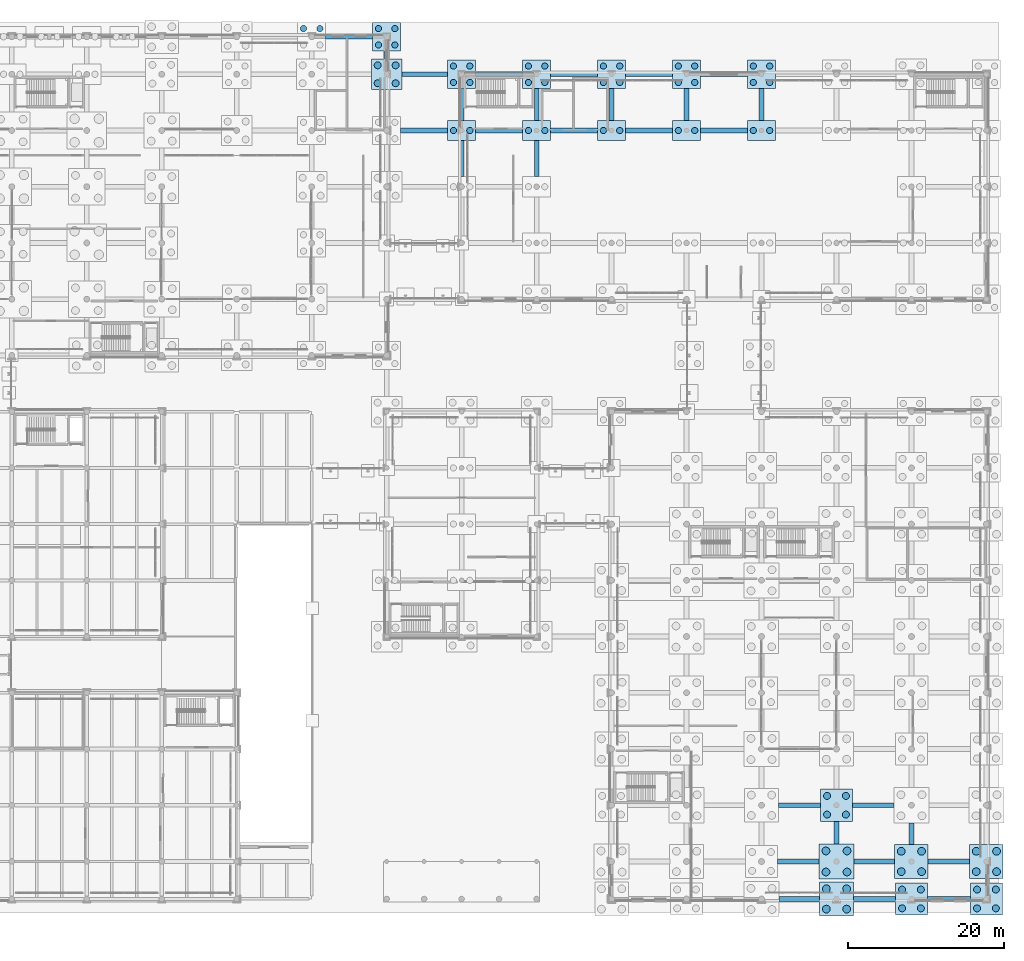
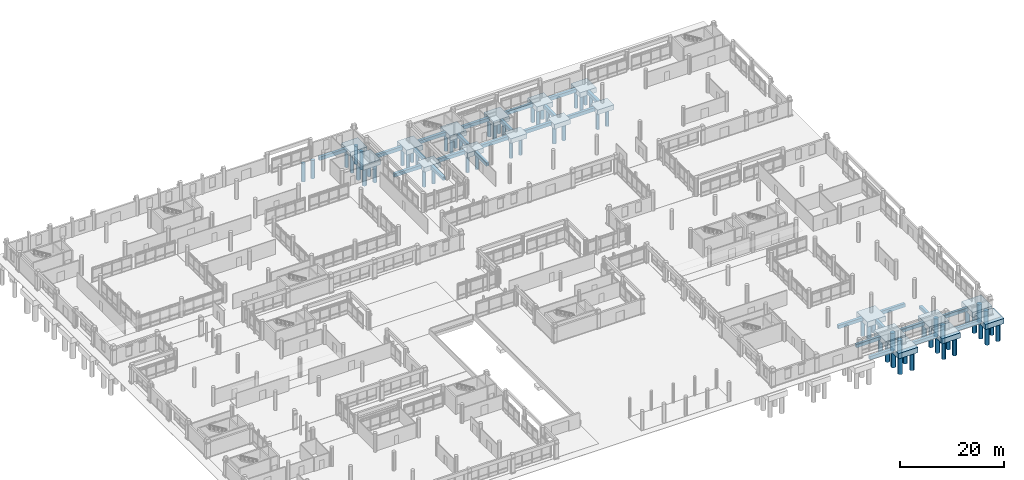
# One storey, part 7 of 196: 68 piles, 48 footings.
"""IFC4 building model written with IfcOpenShell, lengths in metres."""

from ifc_helpers import new_model, si_unit, direction, frame, origin, origin_2d, place, context, subcontext, project, spatial, rectangle, circle, extrude, material, material_profile, profile_set, type_object, element, save


model = new_model("IFC4")

# Units and contexts
model_context = context("Model", 3, precision=1e-05, world=origin(), true_north=direction((0.0, 1.0)))
body_context = subcontext(model_context, "Body", "Model", "MODEL_VIEW")
ifc_project = project(units=[si_unit("LENGTHUNIT", "METRE"), si_unit("AREAUNIT", "SQUARE_METRE"), si_unit("VOLUMEUNIT", "CUBIC_METRE"), si_unit("PLANEANGLEUNIT", "RADIAN"), si_unit("MASSUNIT", "GRAM", prefix="KILO")], contexts=[model_context])

# Site, building, storey
site_placement = place(None, origin())
site = spatial("IfcSite", under=ifc_project, at=site_placement, CompositionType="ELEMENT")
building_placement = place(site_placement, origin())
building = spatial("IfcBuilding", under=site, at=building_placement, Name="Asteropetra Specialist Clinic", CompositionType="ELEMENT")
storey_placement = place(building_placement, origin())
storey = spatial("IfcBuildingStorey", under=building, at=storey_placement, Name="L00", CompositionType="ELEMENT", Elevation=0.0)

# Footings
ifc_material_1 = material(Name="Concrete C35/45", Category="concrete")
ifc_material_profile_1 = material_profile(ifc_material_1, rectangle(XDim=0.60009765625, YDim=0.800048828125, at=origin_2d()), Name="FB 600x800")
ifc_profile_set_1 = profile_set([ifc_material_profile_1], Name="Concrete C35/45")
footing_type_1 = type_object("IfcFootingType", Name="FB-600x800", PredefinedType="FOOTING_BEAM", material=ifc_profile_set_1)
for number, where, z_axis, x_axis, name in (
    (1, (69.0, 110.39990234375, -0.840087890625), (1.0, 0.0, 0.0), (0.0, 1.0, 0.0), "Footing Tie Beam FB-0233"),
    (2, (78.60009765625, 98.39990234375, -0.840087890625), (1.0, 0.0, 0.0), (0.0, 1.0, 0.0), "Footing Tie Beam FB-0254"),
):
    element("IfcFooting", number, at=place(storey_placement, frame(where, z_axis=z_axis, x_axis=x_axis)), inside=storey, type_object=footing_type_1, Name=name, PredefinedType="FOOTING_BEAM", context=body_context, shape_type="SweptSolid", body=[
        extrude(rectangle(XDim=0.60009765625, YDim=0.800048828125, at=origin_2d()), origin(), (0.0, 0.0, 1.0), 6.0),
    ])
footing_1_placement = place(storey_placement, frame((78.75, 105.60009765625, -0.840087890625), z_axis=(1.0, 0.0, 0.0), x_axis=(0.0, 1.0, 0.0)))
element("IfcFooting", 3, at=footing_1_placement, inside=storey, type_object=footing_type_1, Name="Footing Tie Beam FB-0256", PredefinedType="FOOTING_BEAM", context=body_context, shape_type="SweptSolid", body=[
    extrude(rectangle(XDim=0.60009765625, YDim=0.800048828125, at=origin_2d()), origin(), (0.0, 0.0, 1.0), 5.85009765625),
])
footing_2_placement = place(storey_placement, frame((76.800048828125, 107.550048828125, -0.840087890625), z_axis=(0.0, 1.0, 0.0), x_axis=(-1.0, 0.0, 0.0)))
element("IfcFooting", 4, at=footing_2_placement, inside=storey, type_object=footing_type_1, Name="Footing Tie Beam FB-0257", PredefinedType="FOOTING_BEAM", context=body_context, shape_type="SweptSolid", body=[
    extrude(rectangle(XDim=0.60009765625, YDim=0.800048828125, at=origin_2d()), origin(), (0.0, 0.0, 1.0), 1.050048828125),
])
footing_3_placement = place(storey_placement, frame((86.39990234375, 92.5, -0.840087890625), z_axis=(0.0, 1.0, 0.0), x_axis=(-1.0, 0.0, 0.0)))
element("IfcFooting", 5, at=footing_3_placement, inside=storey, type_object=footing_type_1, Name="Footing Tie Beam FB-0275", PredefinedType="FOOTING_BEAM", context=body_context, shape_type="SweptSolid", body=[
    extrude(rectangle(XDim=0.60009765625, YDim=0.800048828125, at=origin_2d()), origin(), (0.0, 0.0, 1.0), 4.60009765625),
])
footing_4_placement = place(storey_placement, frame((88.199951171875, 98.39990234375, -0.840087890625), z_axis=(1.0, 0.0, 0.0), x_axis=(0.0, 1.0, 0.0)))
element("IfcFooting", 6, at=footing_4_placement, inside=storey, type_object=footing_type_1, Name="Footing Tie Beam FB-0276", PredefinedType="FOOTING_BEAM", context=body_context, shape_type="SweptSolid", body=[
    extrude(rectangle(XDim=0.60009765625, YDim=0.800048828125, at=origin_2d()), origin(), (0.0, 0.0, 1.0), 6.0),
])
footing_5_placement = place(storey_placement, frame((86.39990234375, 99.699951171875, -0.840087890625), z_axis=(0.0, 1.0, 0.0), x_axis=(-1.0, 0.0, 0.0)))
element("IfcFooting", 7, at=footing_5_placement, inside=storey, type_object=footing_type_1, Name="Footing Tie Beam FB-0277", PredefinedType="FOOTING_BEAM", context=body_context, shape_type="SweptSolid", body=[
    extrude(rectangle(XDim=0.60009765625, YDim=0.800048828125, at=origin_2d()), origin(), (0.0, 0.0, 1.0), 4.10009765625),
])
footing_6_placement = place(storey_placement, frame((88.199951171875, 105.60009765625, -0.840087890625), z_axis=(1.0, 0.0, 0.0), x_axis=(0.0, 1.0, 0.0)))
element("IfcFooting", 8, at=footing_6_placement, inside=storey, type_object=footing_type_1, Name="Footing Tie Beam FB-0278", PredefinedType="FOOTING_BEAM", context=body_context, shape_type="SweptSolid", body=[
    extrude(rectangle(XDim=0.60009765625, YDim=0.800048828125, at=origin_2d()), origin(), (0.0, 0.0, 1.0), 6.0),
])
footing_7_placement = place(storey_placement, frame((96.0, 92.5, -0.840087890625), z_axis=(0.0, 1.0, 0.0), x_axis=(-1.0, 0.0, 0.0)))
element("IfcFooting", 9, at=footing_7_placement, inside=storey, type_object=footing_type_1, Name="Footing Tie Beam FB-0293", PredefinedType="FOOTING_BEAM", context=body_context, shape_type="SweptSolid", body=[
    extrude(rectangle(XDim=0.60009765625, YDim=0.800048828125, at=origin_2d()), origin(), (0.0, 0.0, 1.0), 4.60009765625),
])
footing_8_placement = place(storey_placement, frame((97.800048828125, 98.39990234375, -0.840087890625), z_axis=(1.0, 0.0, 0.0), x_axis=(0.0, 1.0, 0.0)))
element("IfcFooting", 10, at=footing_8_placement, inside=storey, type_object=footing_type_1, Name="Footing Tie Beam FB-0294", PredefinedType="FOOTING_BEAM", context=body_context, shape_type="SweptSolid", body=[
    extrude(rectangle(XDim=0.60009765625, YDim=0.800048828125, at=origin_2d()), origin(), (0.0, 0.0, 1.0), 6.0),
])
footing_9_placement = place(storey_placement, frame((96.0, 99.699951171875, -0.840087890625), z_axis=(0.0, 1.0, 0.0), x_axis=(-1.0, 0.0, 0.0)))
element("IfcFooting", 11, at=footing_9_placement, inside=storey, type_object=footing_type_1, Name="Footing Tie Beam FB-0295", PredefinedType="FOOTING_BEAM", context=body_context, shape_type="SweptSolid", body=[
    extrude(rectangle(XDim=0.60009765625, YDim=0.800048828125, at=origin_2d()), origin(), (0.0, 0.0, 1.0), 4.10009765625),
])
for number, where, z_axis, x_axis, name in (
    (12, (97.800048828125, 105.60009765625, -0.840087890625), (1.0, 0.0, 0.0), (0.0, 1.0, 0.0), "Footing Tie Beam FB-0296"),
    (13, (107.39990234375, 98.39990234375, -0.840087890625), (1.0, 0.0, 0.0), (0.0, 1.0, 0.0), "Footing Tie Beam FB-0318"),
):
    element("IfcFooting", number, at=place(storey_placement, frame(where, z_axis=z_axis, x_axis=x_axis)), inside=storey, type_object=footing_type_1, Name=name, PredefinedType="FOOTING_BEAM", context=body_context, shape_type="SweptSolid", body=[
        extrude(rectangle(XDim=0.60009765625, YDim=0.800048828125, at=origin_2d()), origin(), (0.0, 0.0, 1.0), 6.0),
    ])
footing_10_placement = place(storey_placement, frame((105.60009765625, 99.699951171875, -0.840087890625), z_axis=(0.0, 1.0, 0.0), x_axis=(-1.0, 0.0, 0.0)))
element("IfcFooting", 14, at=footing_10_placement, inside=storey, type_object=footing_type_1, Name="Footing Tie Beam FB-0319", PredefinedType="FOOTING_BEAM", context=body_context, shape_type="SweptSolid", body=[
    extrude(rectangle(XDim=0.60009765625, YDim=0.800048828125, at=origin_2d()), origin(), (0.0, 0.0, 1.0), 4.10009765625),
])
for number, where, z_axis, x_axis, name in (
    (15, (107.39990234375, 105.60009765625, -0.840087890625), (1.0, 0.0, 0.0), (0.0, 1.0, 0.0), "Footing Tie Beam FB-0320"),
    (16, (117.0, 98.39990234375, -0.840087890625), (1.0, 0.0, 0.0), (0.0, 1.0, 0.0), "Footing Tie Beam FB-0342"),
):
    element("IfcFooting", number, at=place(storey_placement, frame(where, z_axis=z_axis, x_axis=x_axis)), inside=storey, type_object=footing_type_1, Name=name, PredefinedType="FOOTING_BEAM", context=body_context, shape_type="SweptSolid", body=[
        extrude(rectangle(XDim=0.60009765625, YDim=0.800048828125, at=origin_2d()), origin(), (0.0, 0.0, 1.0), 6.0),
    ])
footing_11_placement = place(storey_placement, frame((115.199951171875, 99.699951171875, -0.840087890625), z_axis=(0.0, 1.0, 0.0), x_axis=(-1.0, 0.0, 0.0)))
element("IfcFooting", 17, at=footing_11_placement, inside=storey, type_object=footing_type_1, Name="Footing Tie Beam FB-0343", PredefinedType="FOOTING_BEAM", context=body_context, shape_type="SweptSolid", body=[
    extrude(rectangle(XDim=0.60009765625, YDim=0.800048828125, at=origin_2d()), origin(), (0.0, 0.0, 1.0), 4.10009765625),
])
footing_12_placement = place(storey_placement, frame((117.0, 105.60009765625, -0.840087890625), z_axis=(1.0, 0.0, 0.0), x_axis=(0.0, 1.0, 0.0)))
element("IfcFooting", 18, at=footing_12_placement, inside=storey, type_object=footing_type_1, Name="Footing Tie Beam FB-0344", PredefinedType="FOOTING_BEAM", context=body_context, shape_type="SweptSolid", body=[
    extrude(rectangle(XDim=0.60009765625, YDim=0.800048828125, at=origin_2d()), origin(), (0.0, 0.0, 1.0), 6.0),
])
footing_13_placement = place(storey_placement, frame((127.050048828125, 0.0, -0.840087890625), z_axis=(1.0, 0.0, 0.0), x_axis=(0.0, 1.0, 0.0)))
element("IfcFooting", 19, at=footing_13_placement, inside=storey, type_object=footing_type_1, Name="Footing Tie Beam FB-0345", PredefinedType="FOOTING_BEAM", context=body_context, shape_type="SweptSolid", body=[
    extrude(rectangle(XDim=0.60009765625, YDim=0.800048828125, at=origin_2d()), origin(), (0.0, 0.0, 1.0), 5.199951171875),
])
footing_14_placement = place(storey_placement, frame((126.85009765625, 4.800048828125, -0.840087890625), z_axis=(1.0, 0.0, 0.0), x_axis=(0.0, 1.0, 0.0)))
element("IfcFooting", 20, at=footing_14_placement, inside=storey, type_object=footing_type_1, Name="Footing Tie Beam FB-0346", PredefinedType="FOOTING_BEAM", context=body_context, shape_type="SweptSolid", body=[
    extrude(rectangle(XDim=0.60009765625, YDim=0.800048828125, at=origin_2d()), origin(), (0.0, 0.0, 1.0), 5.2998046875),
])
footing_15_placement = place(storey_placement, frame((126.949951171875, 12.0, -0.840087890625), z_axis=(1.0, 0.0, 0.0), x_axis=(0.0, 1.0, 0.0)))
element("IfcFooting", 21, at=footing_15_placement, inside=storey, type_object=footing_type_1, Name="Footing Tie Beam FB-0348", PredefinedType="FOOTING_BEAM", context=body_context, shape_type="SweptSolid", body=[
    extrude(rectangle(XDim=0.60009765625, YDim=0.800048828125, at=origin_2d()), origin(), (0.0, 0.0, 1.0), 5.400146484375),
])
footing_16_placement = place(storey_placement, frame((124.800048828125, 99.699951171875, -0.840087890625), z_axis=(0.0, 1.0, 0.0), x_axis=(-1.0, 0.0, 0.0)))
element("IfcFooting", 22, at=footing_16_placement, inside=storey, type_object=footing_type_1, Name="Footing Tie Beam FB-0367", PredefinedType="FOOTING_BEAM", context=body_context, shape_type="SweptSolid", body=[
    extrude(rectangle(XDim=0.60009765625, YDim=0.800048828125, at=origin_2d()), origin(), (0.0, 0.0, 1.0), 4.10009765625),
])
footing_17_placement = place(storey_placement, frame((136.550048828125, 0.0, -0.840087890625), z_axis=(1.0, 0.0, 0.0), x_axis=(0.0, 1.0, 0.0)))
element("IfcFooting", 23, at=footing_17_placement, inside=storey, type_object=footing_type_1, Name="Footing Tie Beam FB-0369", PredefinedType="FOOTING_BEAM", context=body_context, shape_type="SweptSolid", body=[
    extrude(rectangle(XDim=0.60009765625, YDim=0.800048828125, at=origin_2d()), origin(), (0.0, 0.0, 1.0), 5.39990234375),
])
footing_18_placement = place(storey_placement, frame((136.64990234375, 4.800048828125, -0.840087890625), z_axis=(1.0, 0.0, 0.0), x_axis=(0.0, 1.0, 0.0)))
element("IfcFooting", 24, at=footing_18_placement, inside=storey, type_object=footing_type_1, Name="Footing Tie Beam FB-0370", PredefinedType="FOOTING_BEAM", context=body_context, shape_type="SweptSolid", body=[
    extrude(rectangle(XDim=0.60009765625, YDim=0.800048828125, at=origin_2d()), origin(), (0.0, 0.0, 1.0), 5.2001953125),
])
footing_19_placement = place(storey_placement, frame((134.39990234375, 7.050048828125, -0.840087890625), z_axis=(0.0, 1.0, 0.0), x_axis=(-1.0, 0.0, 0.0)))
element("IfcFooting", 25, at=footing_19_placement, inside=storey, type_object=footing_type_1, Name="Footing Tie Beam FB-0371", PredefinedType="FOOTING_BEAM", context=body_context, shape_type="SweptSolid", body=[
    extrude(rectangle(XDim=0.60009765625, YDim=0.800048828125, at=origin_2d()), origin(), (0.0, 0.0, 1.0), 2.89990234375),
])
footing_20_placement = place(storey_placement, frame((136.449951171875, 12.0, -0.840087890625), z_axis=(1.0, 0.0, 0.0), x_axis=(0.0, 1.0, 0.0)))
element("IfcFooting", 26, at=footing_20_placement, inside=storey, type_object=footing_type_1, Name="Footing Tie Beam FB-0372", PredefinedType="FOOTING_BEAM", context=body_context, shape_type="SweptSolid", body=[
    extrude(rectangle(XDim=0.60009765625, YDim=0.800048828125, at=origin_2d()), origin(), (0.0, 0.0, 1.0), 5.300048828125),
])
footing_21_placement = place(storey_placement, frame((146.050048828125, 0.0, -0.840087890625), z_axis=(1.0, 0.0, 0.0), x_axis=(0.0, 1.0, 0.0)))
element("IfcFooting", 27, at=footing_21_placement, inside=storey, type_object=footing_type_1, Name="Footing Tie Beam FB-0393", PredefinedType="FOOTING_BEAM", context=body_context, shape_type="SweptSolid", body=[
    extrude(rectangle(XDim=0.60009765625, YDim=0.800048828125, at=origin_2d()), origin(), (0.0, 0.0, 1.0), 5.5),
])
footing_22_placement = place(storey_placement, frame((146.14990234375, 4.800048828125, -0.840087890625), z_axis=(1.0, 0.0, 0.0), x_axis=(0.0, 1.0, 0.0)))
element("IfcFooting", 28, at=footing_22_placement, inside=storey, type_object=footing_type_1, Name="Footing Tie Beam FB-0394", PredefinedType="FOOTING_BEAM", context=body_context, shape_type="SweptSolid", body=[
    extrude(rectangle(XDim=0.60009765625, YDim=0.800048828125, at=origin_2d()), origin(), (0.0, 0.0, 1.0), 5.300048828125),
])
footing_23_placement = place(storey_placement, frame((144.0, 6.949951171875, -0.840087890625), z_axis=(0.0, 1.0, 0.0), x_axis=(-1.0, 0.0, 0.0)))
element("IfcFooting", 29, at=footing_23_placement, inside=storey, type_object=footing_type_1, Name="Footing Tie Beam FB-0395", PredefinedType="FOOTING_BEAM", context=body_context, shape_type="SweptSolid", body=[
    extrude(rectangle(XDim=0.60009765625, YDim=0.800048828125, at=origin_2d()), origin(), (0.0, 0.0, 1.0), 2.800048828125),
])
ifc_material_2 = material(Name="Concrete C35/45", Category="concrete")
footing_type_2 = type_object("IfcFootingType", Name="PC-2600", PredefinedType="PILE_CAP", material=ifc_material_2)
for number, where, z_axis, x_axis, name in (
    (30, (86.39990234375, 98.39990234375, -1.5400390625), (0.0, 0.0, 1.0), (1.0, 0.0, 0.0), "Pile Cap PC-01-179"),
    (31, (96.0, 98.39990234375, -1.5400390625), (0.0, 0.0, 1.0), (1.0, 0.0, 0.0), "Pile Cap PC-01-193"),
    (32, (105.60009765625, 98.39990234375, -1.5400390625), (0.0, 0.0, 1.0), (1.0, 0.0, 0.0), "Pile Cap PC-01-211"),
    (33, (115.199951171875, 98.39990234375, -1.5400390625), (0.0, 0.0, 1.0), (1.0, 0.0, 0.0), "Pile Cap PC-01-225"),
    (34, (124.800048828125, 98.39990234375, -1.5400390625), (0.0, 0.0, 1.0), (1.0, 0.0, 0.0), "Pile Cap PC-01-245"),
):
    element("IfcFooting", number, at=place(storey_placement, frame(where, z_axis=z_axis, x_axis=x_axis)), inside=storey, type_object=footing_type_2, Name=name, PredefinedType="PILE_CAP", context=body_context, shape_type="SweptSolid", body=[
        extrude(rectangle(XDim=3.60009765625, YDim=2.60009765625, at=origin_2d()), origin(), (0.0, 0.0, 1.0), 1.10009765625),
    ])
ifc_material_3 = material(Name="Concrete C35/45", Category="concrete")
footing_type_3 = type_object("IfcFootingType", Name="PC-2800", PredefinedType="PILE_CAP", material=ifc_material_3)
for number, where, z_axis, x_axis, name in (
    (35, (76.800048828125, 110.39990234375, -1.58984375), (0.0, 0.0, 1.0), (1.0, 0.0, 0.0), "Pile Cap PC-02-162"),
    (36, (86.39990234375, 105.60009765625, -1.58984375), (0.0, 0.0, 1.0), (1.0, 0.0, 0.0), "Pile Cap PC-02-180"),
    (37, (96.0, 105.60009765625, -1.58984375), (0.0, 0.0, 1.0), (1.0, 0.0, 0.0), "Pile Cap PC-02-194"),
    (38, (105.60009765625, 105.60009765625, -1.58984375), (0.0, 0.0, 1.0), (1.0, 0.0, 0.0), "Pile Cap PC-02-212"),
    (39, (115.199951171875, 105.60009765625, -1.58984375), (0.0, 0.0, 1.0), (1.0, 0.0, 0.0), "Pile Cap PC-02-226"),
    (40, (124.800048828125, 105.60009765625, -1.58984375), (0.0, 0.0, 1.0), (1.0, 0.0, 0.0), "Pile Cap PC-02-246"),
):
    element("IfcFooting", number, at=place(storey_placement, frame(where, z_axis=z_axis, x_axis=x_axis)), inside=storey, type_object=footing_type_3, Name=name, PredefinedType="PILE_CAP", context=body_context, shape_type="SweptSolid", body=[
        extrude(rectangle(XDim=3.60009765625, YDim=3.60009765625, at=origin_2d()), origin(), (0.0, 0.0, 1.0), 1.14990234375),
    ])
ifc_material_4 = material(Name="Concrete C35/45", Category="concrete")
footing_type_4 = type_object("IfcFootingType", Name="PC-3000", PredefinedType="PILE_CAP", material=ifc_material_4)
footing_24_placement = place(storey_placement, frame((76.800048828125, 105.60009765625, -1.64013671875), z_axis=(0.0, 0.0, 1.0), x_axis=(1.0, 0.0, 0.0)))
element("IfcFooting", 41, at=footing_24_placement, inside=storey, type_object=footing_type_4, Name="Pile Cap PC-03-161", PredefinedType="PILE_CAP", context=body_context, shape_type="SweptSolid", body=[
    extrude(rectangle(XDim=3.89990234375, YDim=3.89990234375, at=origin_2d()), origin(), (0.0, 0.0, 1.0), 1.199951171875),
])
ifc_material_5 = material(Name="Concrete C35/45", Category="concrete")
footing_type_5 = type_object("IfcFootingType", Name="PC-3200", PredefinedType="PILE_CAP", material=ifc_material_5)
for number, where, z_axis, x_axis, name in (
    (42, (134.39990234375, 12.0, -1.64013671875), (0.0, 0.0, 1.0), (1.0, 0.0, 0.0), "Pile Cap PC-04-249"),
    (43, (144.0, 0.0, -1.64013671875), (0.0, 0.0, 1.0), (1.0, 0.0, 0.0), "Pile Cap PC-04-261"),
    (44, (153.60009765625, 0.0, -1.64013671875), (0.0, 0.0, 1.0), (1.0, 0.0, 0.0), "Pile Cap PC-04-276"),
):
    element("IfcFooting", number, at=place(storey_placement, frame(where, z_axis=z_axis, x_axis=x_axis)), inside=storey, type_object=footing_type_5, Name=name, PredefinedType="PILE_CAP", context=body_context, shape_type="SweptSolid", body=[
        extrude(rectangle(XDim=4.10009765625, YDim=4.10009765625, at=origin_2d()), origin(), (0.0, 0.0, 1.0), 1.199951171875),
    ])
ifc_material_6 = material(Name="Concrete C35/45", Category="concrete")
footing_type_6 = type_object("IfcFootingType", Name="PC-3400", PredefinedType="PILE_CAP", material=ifc_material_6)
for number, where, z_axis, x_axis, name in (
    (45, (134.39990234375, 0.0, -1.68994140625), (0.0, 0.0, 1.0), (1.0, 0.0, 0.0), "Pile Cap PC-05-247"),
    (46, (144.0, 4.800048828125, -1.68994140625), (0.0, 0.0, 1.0), (1.0, 0.0, 0.0), "Pile Cap PC-05-262"),
    (47, (153.60009765625, 4.800048828125, -1.68994140625), (0.0, 0.0, 1.0), (1.0, 0.0, 0.0), "Pile Cap PC-05-277"),
):
    element("IfcFooting", number, at=place(storey_placement, frame(where, z_axis=z_axis, x_axis=x_axis)), inside=storey, type_object=footing_type_6, Name=name, PredefinedType="PILE_CAP", context=body_context, shape_type="SweptSolid", body=[
        extrude(rectangle(XDim=4.300048828125, YDim=4.300048828125, at=origin_2d()), origin(), (0.0, 0.0, 1.0), 1.25),
    ])
ifc_material_7 = material(Name="Concrete C35/45", Category="concrete")
footing_type_7 = type_object("IfcFootingType", Name="PC-3600", PredefinedType="PILE_CAP", material=ifc_material_7)
footing_25_placement = place(storey_placement, frame((134.39990234375, 4.800048828125, -1.740234375), z_axis=(0.0, 0.0, 1.0), x_axis=(1.0, 0.0, 0.0)))
element("IfcFooting", 48, at=footing_25_placement, inside=storey, type_object=footing_type_7, Name="Pile Cap PC-06-248", PredefinedType="PILE_CAP", context=body_context, shape_type="SweptSolid", body=[
    extrude(rectangle(XDim=4.5, YDim=4.5, at=origin_2d()), origin(), (0.0, 0.0, 1.0), 1.300048828125),
])

# Piles
ifc_material_8 = material(Name="Concrete C35/45", Category="concrete")
ifc_material_profile_2 = material_profile(ifc_material_8, circle(Radius=0.5, at=origin_2d()), Name="PILE D1000")
ifc_profile_set_2 = profile_set([ifc_material_profile_2], Name="Concrete C35/45")
pile_type_1 = type_object("IfcPileType", Name="PILE-B1000", PredefinedType="BORED", material=ifc_profile_set_2)
for number, where, z_axis, x_axis, name in (
    (49, (133.10009765625, -1.300048828125, -1.590087890625), (0.0, 0.0, -1.0), (1.0, 0.0, 0.0), "Bored Pile PPL03-247-1"),
    (50, (135.699951171875, -1.300048828125, -1.590087890625), (0.0, 0.0, -1.0), (1.0, 0.0, 0.0), "Bored Pile PPL03-247-2"),
    (51, (133.10009765625, 1.300048828125, -1.590087890625), (0.0, 0.0, -1.0), (1.0, 0.0, 0.0), "Bored Pile PPL03-247-3"),
    (52, (135.699951171875, 1.300048828125, -1.590087890625), (0.0, 0.0, -1.0), (1.0, 0.0, 0.0), "Bored Pile PPL03-247-4"),
):
    element("IfcPile", number, at=place(storey_placement, frame(where, z_axis=z_axis, x_axis=x_axis)), inside=storey, type_object=pile_type_1, Name=name, PredefinedType="BORED", context=body_context, shape_type="SweptSolid", body=[
        extrude(circle(Radius=0.5, at=origin_2d()), origin(), (0.0, 0.0, 1.0), 4.2099609375),
    ])
for number, where, z_axis, x_axis, name in (
    (53, (133.050048828125, 3.449951171875, -1.639892578125), (0.0, 0.0, -1.0), (1.0, 0.0, 0.0), "Bored Pile PPL03-248-1"),
    (54, (135.75, 3.449951171875, -1.639892578125), (0.0, 0.0, -1.0), (1.0, 0.0, 0.0), "Bored Pile PPL03-248-2"),
    (55, (133.050048828125, 6.14990234375, -1.639892578125), (0.0, 0.0, -1.0), (1.0, 0.0, 0.0), "Bored Pile PPL03-248-3"),
    (56, (135.75, 6.14990234375, -1.639892578125), (0.0, 0.0, -1.0), (1.0, 0.0, 0.0), "Bored Pile PPL03-248-4"),
):
    element("IfcPile", number, at=place(storey_placement, frame(where, z_axis=z_axis, x_axis=x_axis)), inside=storey, type_object=pile_type_1, Name=name, PredefinedType="BORED", context=body_context, shape_type="SweptSolid", body=[
        extrude(circle(Radius=0.5, at=origin_2d()), origin(), (0.0, 0.0, 1.0), 4.159912109375),
    ])
for number, where, z_axis, x_axis, name in (
    (57, (142.699951171875, 3.5, -1.590087890625), (0.0, 0.0, -1.0), (1.0, 0.0, 0.0), "Bored Pile PPL03-262-1"),
    (58, (145.300048828125, 3.5, -1.590087890625), (0.0, 0.0, -1.0), (1.0, 0.0, 0.0), "Bored Pile PPL03-262-2"),
    (59, (142.699951171875, 6.10009765625, -1.590087890625), (0.0, 0.0, -1.0), (1.0, 0.0, 0.0), "Bored Pile PPL03-262-3"),
    (60, (145.300048828125, 6.10009765625, -1.590087890625), (0.0, 0.0, -1.0), (1.0, 0.0, 0.0), "Bored Pile PPL03-262-4"),
    (61, (152.300048828125, 3.5, -1.590087890625), (0.0, 0.0, -1.0), (1.0, 0.0, 0.0), "Bored Pile PPL03-277-1"),
    (62, (154.89990234375, 3.5, -1.590087890625), (0.0, 0.0, -1.0), (1.0, 0.0, 0.0), "Bored Pile PPL03-277-2"),
    (63, (152.300048828125, 6.10009765625, -1.590087890625), (0.0, 0.0, -1.0), (1.0, 0.0, 0.0), "Bored Pile PPL03-277-3"),
    (64, (154.89990234375, 6.10009765625, -1.590087890625), (0.0, 0.0, -1.0), (1.0, 0.0, 0.0), "Bored Pile PPL03-277-4"),
):
    element("IfcPile", number, at=place(storey_placement, frame(where, z_axis=z_axis, x_axis=x_axis)), inside=storey, type_object=pile_type_1, Name=name, PredefinedType="BORED", context=body_context, shape_type="SweptSolid", body=[
        extrude(circle(Radius=0.5, at=origin_2d()), origin(), (0.0, 0.0, 1.0), 4.2099609375),
    ])
ifc_material_9 = material(Name="Concrete C35/45", Category="concrete")
ifc_material_profile_3 = material_profile(ifc_material_9, circle(Radius=0.39990234375, at=origin_2d()), Name="PILE D800")
ifc_profile_set_3 = profile_set([ifc_material_profile_3], Name="Concrete C35/45")
pile_type_2 = type_object("IfcPileType", Name="PILE-B800", PredefinedType="BORED", material=ifc_profile_set_3)
for number, where, z_axis, x_axis, name in (
    (65, (66.14990234375, 111.449951171875, -1.489990234375), (0.0, 0.0, -1.0), (1.0, 0.0, 0.0), "Bored Pile PPL01-144-3"),
    (66, (68.25, 111.449951171875, -1.489990234375), (0.0, 0.0, -1.0), (1.0, 0.0, 0.0), "Bored Pile PPL01-144-4"),
    (67, (75.75, 109.35009765625, -1.489990234375), (0.0, 0.0, -1.0), (1.0, 0.0, 0.0), "Bored Pile PPL01-162-1"),
    (68, (77.85009765625, 109.35009765625, -1.489990234375), (0.0, 0.0, -1.0), (1.0, 0.0, 0.0), "Bored Pile PPL01-162-2"),
    (69, (75.75, 111.449951171875, -1.489990234375), (0.0, 0.0, -1.0), (1.0, 0.0, 0.0), "Bored Pile PPL01-162-3"),
    (70, (77.85009765625, 111.449951171875, -1.489990234375), (0.0, 0.0, -1.0), (1.0, 0.0, 0.0), "Bored Pile PPL01-162-4"),
):
    element("IfcPile", number, at=place(storey_placement, frame(where, z_axis=z_axis, x_axis=x_axis)), inside=storey, type_object=pile_type_2, Name=name, PredefinedType="BORED", context=body_context, shape_type="SweptSolid", body=[
        extrude(circle(Radius=0.39990234375, at=origin_2d()), origin(), (0.0, 0.0, 1.0), 4.31005859375),
    ])
for number, where, z_axis, x_axis, name in (
    (71, (85.35009765625, 98.39990234375, -1.43994140625), (0.0, 0.0, -1.0), (1.0, 0.0, 0.0), "Bored Pile PPL01-179-1"),
    (72, (87.449951171875, 98.39990234375, -1.43994140625), (0.0, 0.0, -1.0), (1.0, 0.0, 0.0), "Bored Pile PPL01-179-2"),
):
    element("IfcPile", number, at=place(storey_placement, frame(where, z_axis=z_axis, x_axis=x_axis)), inside=storey, type_object=pile_type_2, Name=name, PredefinedType="BORED", context=body_context, shape_type="SweptSolid", body=[
        extrude(circle(Radius=0.39990234375, at=origin_2d()), origin(), (0.0, 0.0, 1.0), 4.360107421875),
    ])
for number, where, z_axis, x_axis, name in (
    (73, (85.35009765625, 104.550048828125, -1.489990234375), (0.0, 0.0, -1.0), (1.0, 0.0, 0.0), "Bored Pile PPL01-180-1"),
    (74, (87.449951171875, 104.550048828125, -1.489990234375), (0.0, 0.0, -1.0), (1.0, 0.0, 0.0), "Bored Pile PPL01-180-2"),
    (75, (85.35009765625, 106.64990234375, -1.489990234375), (0.0, 0.0, -1.0), (1.0, 0.0, 0.0), "Bored Pile PPL01-180-3"),
    (76, (87.449951171875, 106.64990234375, -1.489990234375), (0.0, 0.0, -1.0), (1.0, 0.0, 0.0), "Bored Pile PPL01-180-4"),
):
    element("IfcPile", number, at=place(storey_placement, frame(where, z_axis=z_axis, x_axis=x_axis)), inside=storey, type_object=pile_type_2, Name=name, PredefinedType="BORED", context=body_context, shape_type="SweptSolid", body=[
        extrude(circle(Radius=0.39990234375, at=origin_2d()), origin(), (0.0, 0.0, 1.0), 4.31005859375),
    ])
for number, where, z_axis, x_axis, name in (
    (77, (94.949951171875, 98.39990234375, -1.43994140625), (0.0, 0.0, -1.0), (1.0, 0.0, 0.0), "Bored Pile PPL01-193-1"),
    (78, (97.050048828125, 98.39990234375, -1.43994140625), (0.0, 0.0, -1.0), (1.0, 0.0, 0.0), "Bored Pile PPL01-193-2"),
):
    element("IfcPile", number, at=place(storey_placement, frame(where, z_axis=z_axis, x_axis=x_axis)), inside=storey, type_object=pile_type_2, Name=name, PredefinedType="BORED", context=body_context, shape_type="SweptSolid", body=[
        extrude(circle(Radius=0.39990234375, at=origin_2d()), origin(), (0.0, 0.0, 1.0), 4.360107421875),
    ])
for number, where, z_axis, x_axis, name in (
    (79, (94.949951171875, 104.550048828125, -1.489990234375), (0.0, 0.0, -1.0), (1.0, 0.0, 0.0), "Bored Pile PPL01-194-1"),
    (80, (97.050048828125, 104.550048828125, -1.489990234375), (0.0, 0.0, -1.0), (1.0, 0.0, 0.0), "Bored Pile PPL01-194-2"),
    (81, (94.949951171875, 106.64990234375, -1.489990234375), (0.0, 0.0, -1.0), (1.0, 0.0, 0.0), "Bored Pile PPL01-194-3"),
    (82, (97.050048828125, 106.64990234375, -1.489990234375), (0.0, 0.0, -1.0), (1.0, 0.0, 0.0), "Bored Pile PPL01-194-4"),
):
    element("IfcPile", number, at=place(storey_placement, frame(where, z_axis=z_axis, x_axis=x_axis)), inside=storey, type_object=pile_type_2, Name=name, PredefinedType="BORED", context=body_context, shape_type="SweptSolid", body=[
        extrude(circle(Radius=0.39990234375, at=origin_2d()), origin(), (0.0, 0.0, 1.0), 4.31005859375),
    ])
for number, where, z_axis, x_axis, name in (
    (83, (104.550048828125, 98.39990234375, -1.43994140625), (0.0, 0.0, -1.0), (1.0, 0.0, 0.0), "Bored Pile PPL01-211-1"),
    (84, (106.64990234375, 98.39990234375, -1.43994140625), (0.0, 0.0, -1.0), (1.0, 0.0, 0.0), "Bored Pile PPL01-211-2"),
):
    element("IfcPile", number, at=place(storey_placement, frame(where, z_axis=z_axis, x_axis=x_axis)), inside=storey, type_object=pile_type_2, Name=name, PredefinedType="BORED", context=body_context, shape_type="SweptSolid", body=[
        extrude(circle(Radius=0.39990234375, at=origin_2d()), origin(), (0.0, 0.0, 1.0), 4.360107421875),
    ])
for number, where, z_axis, x_axis, name in (
    (85, (104.550048828125, 104.550048828125, -1.489990234375), (0.0, 0.0, -1.0), (1.0, 0.0, 0.0), "Bored Pile PPL01-212-1"),
    (86, (106.64990234375, 104.550048828125, -1.489990234375), (0.0, 0.0, -1.0), (1.0, 0.0, 0.0), "Bored Pile PPL01-212-2"),
    (87, (104.550048828125, 106.64990234375, -1.489990234375), (0.0, 0.0, -1.0), (1.0, 0.0, 0.0), "Bored Pile PPL01-212-3"),
    (88, (106.64990234375, 106.64990234375, -1.489990234375), (0.0, 0.0, -1.0), (1.0, 0.0, 0.0), "Bored Pile PPL01-212-4"),
):
    element("IfcPile", number, at=place(storey_placement, frame(where, z_axis=z_axis, x_axis=x_axis)), inside=storey, type_object=pile_type_2, Name=name, PredefinedType="BORED", context=body_context, shape_type="SweptSolid", body=[
        extrude(circle(Radius=0.39990234375, at=origin_2d()), origin(), (0.0, 0.0, 1.0), 4.31005859375),
    ])
for number, where, z_axis, x_axis, name in (
    (89, (114.14990234375, 98.39990234375, -1.43994140625), (0.0, 0.0, -1.0), (1.0, 0.0, 0.0), "Bored Pile PPL01-225-1"),
    (90, (116.25, 98.39990234375, -1.43994140625), (0.0, 0.0, -1.0), (1.0, 0.0, 0.0), "Bored Pile PPL01-225-2"),
):
    element("IfcPile", number, at=place(storey_placement, frame(where, z_axis=z_axis, x_axis=x_axis)), inside=storey, type_object=pile_type_2, Name=name, PredefinedType="BORED", context=body_context, shape_type="SweptSolid", body=[
        extrude(circle(Radius=0.39990234375, at=origin_2d()), origin(), (0.0, 0.0, 1.0), 4.360107421875),
    ])
for number, where, z_axis, x_axis, name in (
    (91, (114.14990234375, 104.550048828125, -1.489990234375), (0.0, 0.0, -1.0), (1.0, 0.0, 0.0), "Bored Pile PPL01-226-1"),
    (92, (116.25, 104.550048828125, -1.489990234375), (0.0, 0.0, -1.0), (1.0, 0.0, 0.0), "Bored Pile PPL01-226-2"),
    (93, (114.14990234375, 106.64990234375, -1.489990234375), (0.0, 0.0, -1.0), (1.0, 0.0, 0.0), "Bored Pile PPL01-226-3"),
    (94, (116.25, 106.64990234375, -1.489990234375), (0.0, 0.0, -1.0), (1.0, 0.0, 0.0), "Bored Pile PPL01-226-4"),
):
    element("IfcPile", number, at=place(storey_placement, frame(where, z_axis=z_axis, x_axis=x_axis)), inside=storey, type_object=pile_type_2, Name=name, PredefinedType="BORED", context=body_context, shape_type="SweptSolid", body=[
        extrude(circle(Radius=0.39990234375, at=origin_2d()), origin(), (0.0, 0.0, 1.0), 4.31005859375),
    ])
for number, where, z_axis, x_axis, name in (
    (95, (123.75, 98.39990234375, -1.43994140625), (0.0, 0.0, -1.0), (1.0, 0.0, 0.0), "Bored Pile PPL01-245-1"),
    (96, (125.85009765625, 98.39990234375, -1.43994140625), (0.0, 0.0, -1.0), (1.0, 0.0, 0.0), "Bored Pile PPL01-245-2"),
):
    element("IfcPile", number, at=place(storey_placement, frame(where, z_axis=z_axis, x_axis=x_axis)), inside=storey, type_object=pile_type_2, Name=name, PredefinedType="BORED", context=body_context, shape_type="SweptSolid", body=[
        extrude(circle(Radius=0.39990234375, at=origin_2d()), origin(), (0.0, 0.0, 1.0), 4.360107421875),
    ])
for number, where, z_axis, x_axis, name in (
    (97, (123.75, 104.550048828125, -1.489990234375), (0.0, 0.0, -1.0), (1.0, 0.0, 0.0), "Bored Pile PPL01-246-1"),
    (98, (125.85009765625, 104.550048828125, -1.489990234375), (0.0, 0.0, -1.0), (1.0, 0.0, 0.0), "Bored Pile PPL01-246-2"),
    (99, (123.75, 106.64990234375, -1.489990234375), (0.0, 0.0, -1.0), (1.0, 0.0, 0.0), "Bored Pile PPL01-246-3"),
    (100, (125.85009765625, 106.64990234375, -1.489990234375), (0.0, 0.0, -1.0), (1.0, 0.0, 0.0), "Bored Pile PPL01-246-4"),
):
    element("IfcPile", number, at=place(storey_placement, frame(where, z_axis=z_axis, x_axis=x_axis)), inside=storey, type_object=pile_type_2, Name=name, PredefinedType="BORED", context=body_context, shape_type="SweptSolid", body=[
        extrude(circle(Radius=0.39990234375, at=origin_2d()), origin(), (0.0, 0.0, 1.0), 4.31005859375),
    ])
ifc_material_10 = material(Name="Concrete C35/45", Category="concrete")
ifc_material_profile_4 = material_profile(ifc_material_10, circle(Radius=0.449951171875, at=origin_2d()), Name="PILE D900")
ifc_profile_set_4 = profile_set([ifc_material_profile_4], Name="Concrete C35/45")
pile_type_3 = type_object("IfcPileType", Name="PILE-B900", PredefinedType="BORED", material=ifc_profile_set_4)
for number, where, z_axis, x_axis, name in (
    (101, (75.64990234375, 104.449951171875, -1.5400390625), (0.0, 0.0, -1.0), (1.0, 0.0, 0.0), "Bored Pile PPL02-161-1"),
    (102, (77.949951171875, 104.449951171875, -1.5400390625), (0.0, 0.0, -1.0), (1.0, 0.0, 0.0), "Bored Pile PPL02-161-2"),
    (103, (75.64990234375, 106.75, -1.5400390625), (0.0, 0.0, -1.0), (1.0, 0.0, 0.0), "Bored Pile PPL02-161-3"),
    (104, (77.949951171875, 106.75, -1.5400390625), (0.0, 0.0, -1.0), (1.0, 0.0, 0.0), "Bored Pile PPL02-161-4"),
    (105, (133.199951171875, 10.800048828125, -1.5400390625), (0.0, 0.0, -1.0), (1.0, 0.0, 0.0), "Bored Pile PPL02-249-1"),
    (106, (135.60009765625, 10.800048828125, -1.5400390625), (0.0, 0.0, -1.0), (1.0, 0.0, 0.0), "Bored Pile PPL02-249-2"),
    (107, (133.199951171875, 13.199951171875, -1.5400390625), (0.0, 0.0, -1.0), (1.0, 0.0, 0.0), "Bored Pile PPL02-249-3"),
    (108, (135.60009765625, 13.199951171875, -1.5400390625), (0.0, 0.0, -1.0), (1.0, 0.0, 0.0), "Bored Pile PPL02-249-4"),
    (109, (142.800048828125, -1.199951171875, -1.5400390625), (0.0, 0.0, -1.0), (1.0, 0.0, 0.0), "Bored Pile PPL02-261-1"),
    (110, (145.199951171875, -1.199951171875, -1.5400390625), (0.0, 0.0, -1.0), (1.0, 0.0, 0.0), "Bored Pile PPL02-261-2"),
    (111, (142.800048828125, 1.199951171875, -1.5400390625), (0.0, 0.0, -1.0), (1.0, 0.0, 0.0), "Bored Pile PPL02-261-3"),
    (112, (145.199951171875, 1.199951171875, -1.5400390625), (0.0, 0.0, -1.0), (1.0, 0.0, 0.0), "Bored Pile PPL02-261-4"),
    (113, (152.39990234375, -1.199951171875, -1.5400390625), (0.0, 0.0, -1.0), (1.0, 0.0, 0.0), "Bored Pile PPL02-276-1"),
    (114, (154.800048828125, -1.199951171875, -1.5400390625), (0.0, 0.0, -1.0), (1.0, 0.0, 0.0), "Bored Pile PPL02-276-2"),
    (115, (152.39990234375, 1.199951171875, -1.5400390625), (0.0, 0.0, -1.0), (1.0, 0.0, 0.0), "Bored Pile PPL02-276-3"),
    (116, (154.800048828125, 1.199951171875, -1.5400390625), (0.0, 0.0, -1.0), (1.0, 0.0, 0.0), "Bored Pile PPL02-276-4"),
):
    element("IfcPile", number, at=place(storey_placement, frame(where, z_axis=z_axis, x_axis=x_axis)), inside=storey, type_object=pile_type_3, Name=name, PredefinedType="BORED", context=body_context, shape_type="SweptSolid", body=[
        extrude(circle(Radius=0.449951171875, at=origin_2d()), origin(), (0.0, 0.0, 1.0), 4.260009765625),
    ])

save(model, "model.ifc")
